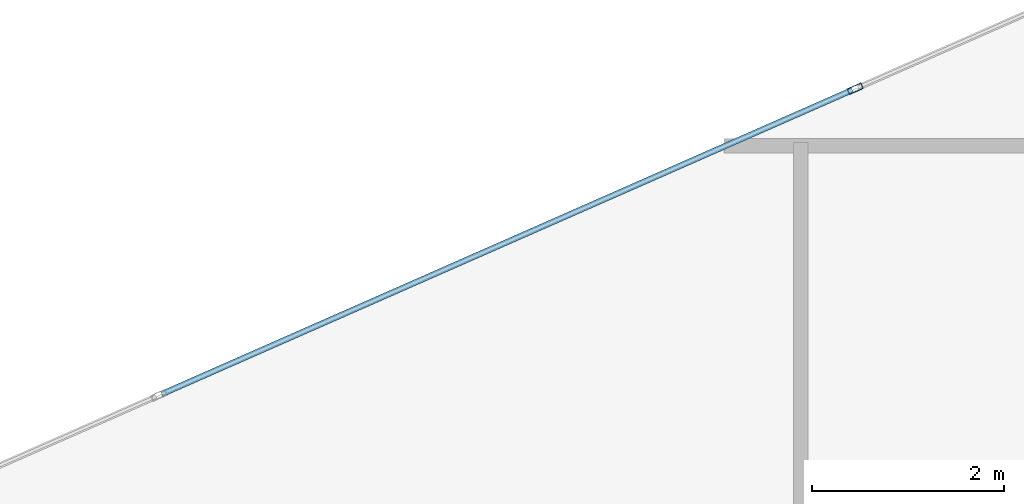
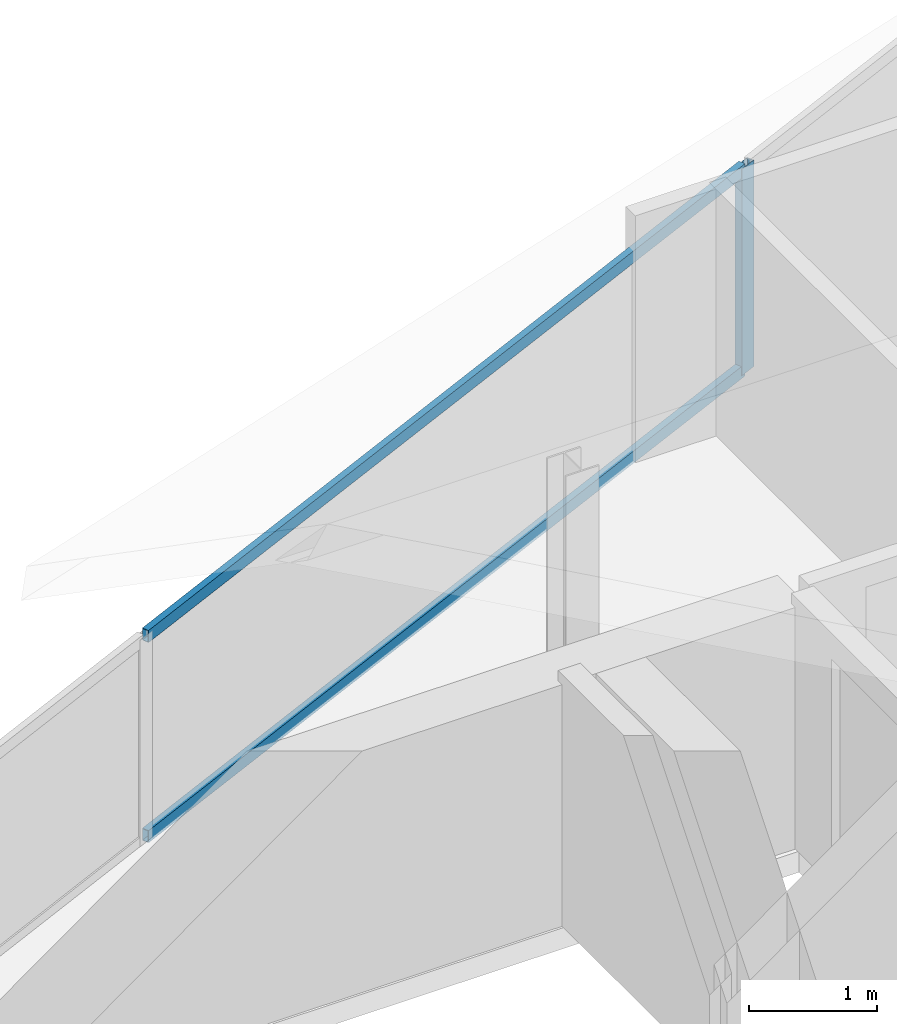
# One storey, part 10 of 13: 3 members, 1 element without a shape of its own.
"""IFC4 building model written with IfcOpenShell, lengths in metres."""

from ifc_helpers import new_model, si_unit, direction, frame, origin, origin_2d, place, context, subcontext, project, spatial, hollow_rectangle, extrude, material, layer, layer_set, material_profile, profile_set, type_object, element, aggregate, save


model = new_model("IFC4")

# Units and contexts
model_context = context("Model", 3, precision=1e-05, world=origin(), true_north=direction((0.0, 1.0)))
body_context = subcontext(model_context, "Body", "Model", "MODEL_VIEW")
ifc_project = project(units=[si_unit("LENGTHUNIT", "METRE"), si_unit("AREAUNIT", "SQUARE_METRE"), si_unit("VOLUMEUNIT", "CUBIC_METRE"), si_unit("PLANEANGLEUNIT", "RADIAN"), si_unit("MASSUNIT", "GRAM", prefix="KILO")], contexts=[model_context])

# Site, building, storey
site_placement = place(None, origin())
site = spatial("IfcSite", under=ifc_project, at=site_placement, CompositionType="ELEMENT")
building_placement = place(site_placement, origin())
building = spatial("IfcBuilding", under=site, at=building_placement, Name="Qianvela Tower", CompositionType="ELEMENT")
storey_placement = place(building_placement, frame((0.0, 0.0, 375.050048828125)))
storey = spatial("IfcBuildingStorey", under=building, at=storey_placement, Name="L97", CompositionType="ELEMENT", Elevation=375.050048828125)

# Curtain wall, members
ifc_material_1 = material(Name="Anodised Architectural Aluminium and Low-E Glass", Category="aluminium")
ifc_layer = layer(ifc_material_1, 0.159912109375)
ifc_layer_set = layer_set([ifc_layer], Name="Anodised Architectural Aluminium and Low-E Glass")
curtain_wall_type = type_object("IfcCurtainWallType", Name="CW-CROWN", PredefinedType="USERDEFINED", material=ifc_layer_set)
curtain_wall_placement = place(storey_placement, origin())
curtain_wall = element("IfcCurtainWall", 1, at=curtain_wall_placement, inside=storey, type_object=curtain_wall_type, Name="L97 CW-CROWN Curtain Wall 02", ObjectType="CURTAIN_WALL_SYSTEM", PredefinedType="USERDEFINED")
ifc_material_2 = material(Name="Anodised Architectural Aluminium 6063-T6", Category="aluminium")
ifc_material_profile_1 = material_profile(ifc_material_2, hollow_rectangle(XDim=0.06494140625, YDim=0.159912109375, WallThickness=0.0048828125, at=origin_2d()), Name="ALU-MULL-65x160")
ifc_profile_set_1 = profile_set([ifc_material_profile_1], Name="Anodised Architectural Aluminium 6063-T6")
member_type_1 = type_object("IfcMemberType", Name="CW-CROWN-MULL", PredefinedType="MULLION", material=ifc_profile_set_1)
member_1_placement = place(storey_placement, frame((42.667236328125, 38.26318359375, 0.0), z_axis=(0.0, 0.0, 1.0), x_axis=(0.402976602581, -0.915210280631, 0.0)))
member_1 = element("IfcMember", 2, at=member_1_placement, type_object=member_type_1, Name="CW-8 mullion 2", PredefinedType="MULLION", context=body_context, shape_type="SweptSolid", body=[
    extrude(hollow_rectangle(XDim=0.06494140625, YDim=0.159912109375, WallThickness=0.0048828125, at=origin_2d()), origin(), (0.0, 0.0, 1.0), 1.96630859375),
])
ifc_material_3 = material(Name="Anodised Architectural Aluminium 6063-T6", Category="aluminium")
ifc_material_profile_2 = material_profile(ifc_material_3, hollow_rectangle(XDim=0.06005859375, YDim=0.114990234375, WallThickness=0.00390625, at=origin_2d()), Name="ALU-TRAN-60x115")
ifc_profile_set_2 = profile_set([ifc_material_profile_2], Name="Anodised Architectural Aluminium 6063-T6")
member_type_2 = type_object("IfcMemberType", Name="CW-CROWN-TRAN", PredefinedType="USERDEFINED", material=ifc_profile_set_2)
member_2_placement = place(storey_placement, frame((42.637451171875, 38.25, 0.030029296875), z_axis=(-0.915208916952, -0.402979699651, 0.0), x_axis=(0.402979699651, -0.915208916952, 0.0)))
member_2 = element("IfcMember", 3, at=member_2_placement, type_object=member_type_2, Name="CW-8 transom 2.1", ObjectType="TRANSOM", PredefinedType="USERDEFINED", context=body_context, shape_type="SweptSolid", body=[
    extrude(hollow_rectangle(XDim=0.06005859375, YDim=0.114990234375, WallThickness=0.00390625, at=origin_2d()), origin(), (0.0, 0.0, 1.0), 7.872802734375),
])
member_3_placement = place(storey_placement, frame((42.637451171875, 38.25, 1.936279296875), z_axis=(-0.915208916952, -0.402979699651, 0.0), x_axis=(0.402979699651, -0.915208916952, 0.0)))
member_3 = element("IfcMember", 4, at=member_3_placement, type_object=member_type_2, Name="CW-8 transom 2.2", ObjectType="TRANSOM", PredefinedType="USERDEFINED", context=body_context, shape_type="SweptSolid", body=[
    extrude(hollow_rectangle(XDim=0.06005859375, YDim=0.114990234375, WallThickness=0.00390625, at=origin_2d()), origin(), (0.0, 0.0, 1.0), 7.872802734375),
])
aggregate(curtain_wall, [member_1, member_2, member_3])

save(model, "model.ifc")
